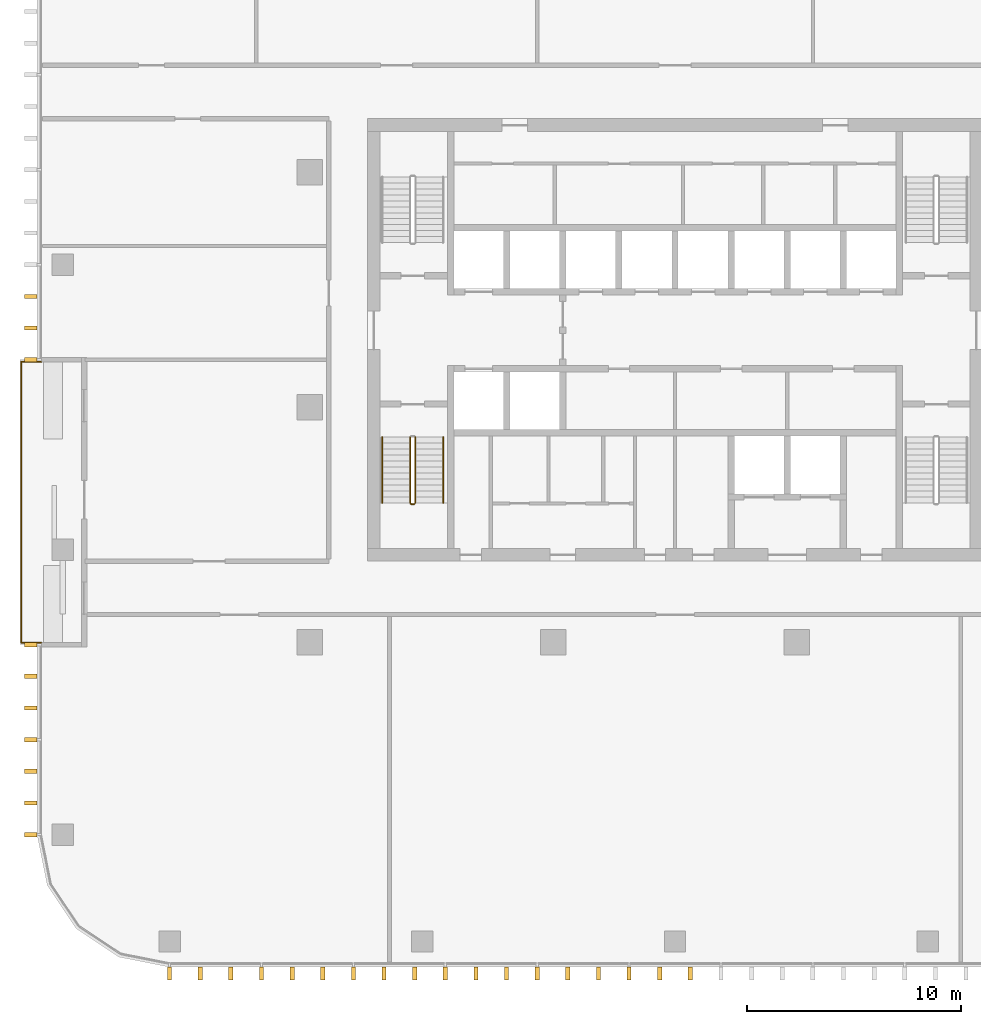
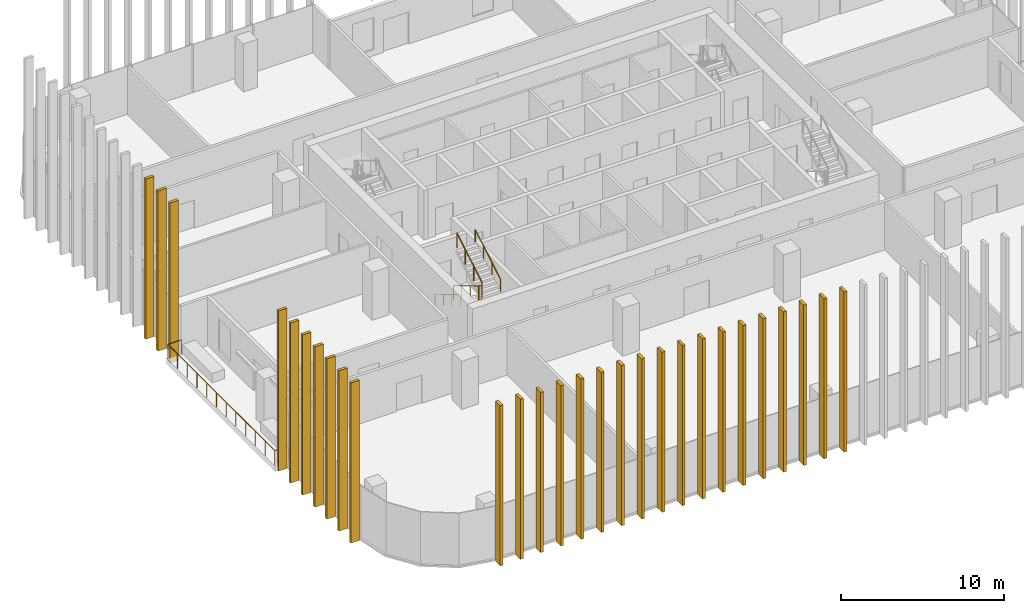
# One storey, part 11 of 16: 28 shading devices, 5 railings.
"""IFC4 building model written with IfcOpenShell, lengths in metres."""

from ifc_helpers import new_model, si_unit, direction, frame, origin, origin_2d, place, context, subcontext, project, spatial, rectangle, circle, extrude, material, type_object, element, save


model = new_model("IFC4")

# Units and contexts
model_context = context("Model", 3, precision=1e-05, world=origin(), true_north=direction((0.0, 1.0)))
body_context = subcontext(model_context, "Body", "Model", "MODEL_VIEW")
ifc_project = project(units=[si_unit("LENGTHUNIT", "METRE"), si_unit("AREAUNIT", "SQUARE_METRE"), si_unit("VOLUMEUNIT", "CUBIC_METRE"), si_unit("PLANEANGLEUNIT", "RADIAN"), si_unit("MASSUNIT", "GRAM", prefix="KILO")], contexts=[model_context])

# Site, building, storey
site_placement = place(None, origin())
site = spatial("IfcSite", under=ifc_project, at=site_placement, CompositionType="ELEMENT")
building_placement = place(site_placement, origin())
building = spatial("IfcBuilding", under=site, at=building_placement, Name="Mopane Tessera Tower", CompositionType="ELEMENT")
storey_placement = place(building_placement, frame((0.0, 0.0, 267.39990234375)))
storey = spatial("IfcBuildingStorey", under=building, at=storey_placement, Name="L57", CompositionType="ELEMENT", Elevation=267.39990234375)

# Shading devices
ifc_material_1 = material(Name="Glazed ceramic tile")
shading_device_type = type_object("IfcShadingDeviceType", Name="Ceramic tile fin 600 x 200 mm", PredefinedType="USERDEFINED", material=ifc_material_1)
for number, where, z_axis, x_axis, name in (
    (1, (-23.64990234375, -26.5, -0.39990234375), (0.0, 0.0, 1.0), (1.0, 0.0, 0.0), "e:fin:L57:S:0:0"),
    (2, (-22.216552734375, -26.5, -0.39990234375), (0.0, 0.0, 1.0), (1.0, 0.0, 0.0), "e:fin:L57:S:0:1"),
    (3, (-20.783447265625, -26.5, -0.39990234375), (0.0, 0.0, 1.0), (1.0, 0.0, 0.0), "e:fin:L57:S:0:2"),
    (4, (-19.35009765625, -26.5, -0.39990234375), (0.0, 0.0, 1.0), (1.0, 0.0, 0.0), "e:fin:L57:S:1:0"),
    (5, (-17.916748046875, -26.5, -0.39990234375), (0.0, 0.0, 1.0), (1.0, 0.0, 0.0), "e:fin:L57:S:1:1"),
    (6, (-16.4833984375, -26.5, -0.39990234375), (0.0, 0.0, 1.0), (1.0, 0.0, 0.0), "e:fin:L57:S:1:2"),
    (7, (-15.050048828125, -26.5, -0.39990234375), (0.0, 0.0, 1.0), (1.0, 0.0, 0.0), "e:fin:L57:S:2:0"),
    (8, (-13.61669921875, -26.5, -0.39990234375), (0.0, 0.0, 1.0), (1.0, 0.0, 0.0), "e:fin:L57:S:2:1"),
    (9, (-12.183349609375, -26.5, -0.39990234375), (0.0, 0.0, 1.0), (1.0, 0.0, 0.0), "e:fin:L57:S:2:2"),
    (10, (-10.75, -26.5, -0.39990234375), (0.0, 0.0, 1.0), (1.0, 0.0, 0.0), "e:fin:L57:S:3:0"),
    (11, (-9.316650390625, -26.5, -0.39990234375), (0.0, 0.0, 1.0), (1.0, 0.0, 0.0), "e:fin:L57:S:3:1"),
    (12, (-7.88330078125, -26.5, -0.39990234375), (0.0, 0.0, 1.0), (1.0, 0.0, 0.0), "e:fin:L57:S:3:2"),
    (13, (-6.449951171875, -26.5, -0.39990234375), (0.0, 0.0, 1.0), (1.0, 0.0, 0.0), "e:fin:L57:S:4:0"),
    (14, (-5.0166015625, -26.5, -0.39990234375), (0.0, 0.0, 1.0), (1.0, 0.0, 0.0), "e:fin:L57:S:4:1"),
    (15, (-3.583251953125, -26.5, -0.39990234375), (0.0, 0.0, 1.0), (1.0, 0.0, 0.0), "e:fin:L57:S:4:2"),
    (16, (-2.14990234375, -26.5, -0.39990234375), (0.0, 0.0, 1.0), (1.0, 0.0, 0.0), "e:fin:L57:S:5:0"),
    (17, (-0.716552734375, -26.5, -0.39990234375), (0.0, 0.0, 1.0), (1.0, 0.0, 0.0), "e:fin:L57:S:5:1"),
    (18, (0.716552734375, -26.5, -0.39990234375), (0.0, 0.0, 1.0), (1.0, 0.0, 0.0), "e:fin:L57:S:5:2"),
    (19, (-30.14990234375, 5.185302734375, -0.39990234375), (0.0, 0.0, 1.0), (0.0, -1.0, 0.0), "e:fin:L57:W:3:1"),
    (20, (-30.14990234375, 3.70361328125, -0.39990234375), (0.0, 0.0, 1.0), (0.0, -1.0, 0.0), "e:fin:L57:W:3:2"),
    (21, (-30.14990234375, 2.22216796875, -0.39990234375), (0.0, 0.0, 1.0), (0.0, -1.0, 0.0), "e:fin:L57:W:3:3"),
    (22, (-30.14990234375, -11.111083984375, -0.39990234375), (0.0, 0.0, 1.0), (0.0, -1.0, 0.0), "e:fin:L57:W:7:0"),
    (23, (-30.14990234375, -12.592529296875, -0.39990234375), (0.0, 0.0, 1.0), (0.0, -1.0, 0.0), "e:fin:L57:W:7:1"),
    (24, (-30.14990234375, -14.073974609375, -0.39990234375), (0.0, 0.0, 1.0), (0.0, -1.0, 0.0), "e:fin:L57:W:7:2"),
    (25, (-30.14990234375, -15.5556640625, -0.39990234375), (0.0, 0.0, 1.0), (0.0, -1.0, 0.0), "e:fin:L57:W:8:0"),
    (26, (-30.14990234375, -17.037109375, -0.39990234375), (0.0, 0.0, 1.0), (0.0, -1.0, 0.0), "e:fin:L57:W:8:1"),
    (27, (-30.14990234375, -18.5185546875, -0.39990234375), (0.0, 0.0, 1.0), (0.0, -1.0, 0.0), "e:fin:L57:W:8:2"),
    (28, (-30.14990234375, -20.0, -0.39990234375), (0.0, 0.0, 1.0), (0.0, -1.0, 0.0), "e:fin:L57:W:8:3"),
):
    element("IfcShadingDevice", number, at=place(storey_placement, frame(where, z_axis=z_axis, x_axis=x_axis)), inside=storey, type_object=shading_device_type, Name=name, ObjectType="FIN", PredefinedType="USERDEFINED", context=body_context, shape_type="SweptSolid", body=[
        extrude(rectangle(XDim=0.199951171875, YDim=0.60009765625, at=origin_2d()), origin(), (0.0, 0.0, 1.0), 12.0),
    ])

# Railings
ifc_material_2 = material(Name="Powder-coated steel balustrade", Category="steel")
railing_type_1 = type_object("IfcRailingType", Name="Escape stair guard 1100 mm", PredefinedType="GUARDRAIL", material=ifc_material_2)
railing_1_placement = place(storey_placement, frame((-12.39990234375, -1.39990234375, 0.166748046875)))
element("IfcRailing", 29, at=railing_1_placement, inside=storey, type_object=railing_type_1, Name="L57 ST1 stair guard 1", PredefinedType="GUARDRAIL", context=body_context, shape_type="SweptSolid", body=[
    extrude(circle(Radius=0.02392578125, at=origin_2d()), frame((0.0, 0.0, 1.076171875), z_axis=(0.0, -0.859308565015, 0.511457515432), x_axis=(1.0, 0.0, 0.0)), (0.0, 0.0, 1.0), 3.58447265625),
    extrude(circle(Radius=0.02392578125, at=origin_2d()), frame((0.0, -3.080078125, 2.9091796875), z_axis=(0.705375805398, -0.708833529934, 0.0), x_axis=(0.708833529934, 0.705375805398, 0.0)), (0.0, 0.0, 1.0), 0.070556640625),
    extrude(circle(Radius=0.02392578125, at=origin_2d()), frame((0.0498046875, -3.130126953125, 2.9091796875), z_axis=(1.0, 0.0, 0.0), x_axis=(0.0, 1.0, 0.0)), (0.0, 0.0, 1.0), 0.150146484375),
    extrude(circle(Radius=0.02099609375, at=origin_2d()), origin(), (0.0, 0.0, 1.0), 1.052001953125),
    extrude(circle(Radius=0.02099609375, at=origin_2d()), frame((0.0, -1.026611328125, 0.611083984375)), (0.0, 0.0, 1.0), 1.052001953125),
    extrude(circle(Radius=0.02099609375, at=origin_2d()), frame((0.0, -2.053466796875, 1.22216796875)), (0.0, 0.0, 1.0), 1.052001953125),
    extrude(circle(Radius=0.02099609375, at=origin_2d()), frame((0.0, -3.080078125, 1.833251953125)), (0.0, 0.0, 1.0), 1.052001953125),
    extrude(circle(Radius=0.02099609375, at=origin_2d()), frame((0.0498046875, -3.130126953125, 1.833251953125)), (0.0, 0.0, 1.0), 1.052001953125),
    extrude(circle(Radius=0.02099609375, at=origin_2d()), frame((0.199951171875, -3.130126953125, 1.833251953125)), (0.0, 0.0, 1.0), 1.052001953125),
])
railing_2_placement = place(storey_placement, frame((-12.14990234375, -4.47998046875, 2.166748046875)))
element("IfcRailing", 30, at=railing_2_placement, inside=storey, type_object=railing_type_1, Name="L57 ST1 stair guard 2", PredefinedType="GUARDRAIL", context=body_context, shape_type="SweptSolid", body=[
    extrude(circle(Radius=0.02392578125, at=origin_2d()), frame((0.0, 0.0, 1.076171875), z_axis=(0.0, 0.859308565015, 0.511457515432), x_axis=(-1.0, 0.0, 0.0)), (0.0, 0.0, 1.0), 3.58447265625),
    extrude(circle(Radius=0.02099609375, at=origin_2d()), origin(), (0.0, 0.0, 1.0), 1.052001953125),
    extrude(circle(Radius=0.02099609375, at=origin_2d()), frame((0.0, 1.026611328125, 0.611083984375)), (0.0, 0.0, 1.0), 1.052001953125),
    extrude(circle(Radius=0.02099609375, at=origin_2d()), frame((0.0, 2.053466796875, 1.22216796875)), (0.0, 0.0, 1.0), 1.052001953125),
    extrude(circle(Radius=0.02099609375, at=origin_2d()), frame((0.0, 3.080078125, 1.833251953125)), (0.0, 0.0, 1.0), 1.052001953125),
])
ifc_material_3 = material(Name="Powder-coated steel balustrade", Category="steel")
railing_type_2 = type_object("IfcRailingType", Name="Escape stair handrail 900 mm", PredefinedType="HANDRAIL", material=ifc_material_3)
railing_3_placement = place(storey_placement, frame((-13.699951171875, -1.39990234375, 0.166748046875)))
element("IfcRailing", 31, at=railing_3_placement, inside=storey, type_object=railing_type_2, Name="L57 ST1 stair handrail 1", PredefinedType="HANDRAIL", context=body_context, shape_type="SweptSolid", body=[
    extrude(circle(Radius=0.02392578125, at=origin_2d()), frame((0.0, 0.0, 0.8759765625), z_axis=(0.0, -0.859308565015, 0.511457515432), x_axis=(1.0, 0.0, 0.0)), (0.0, 0.0, 1.0), 3.58447265625),
    extrude(circle(Radius=0.02099609375, at=origin_2d()), origin(), (0.0, 0.0, 1.0), 0.851806640625),
    extrude(circle(Radius=0.02099609375, at=origin_2d()), frame((0.0, -1.026611328125, 0.611083984375)), (0.0, 0.0, 1.0), 0.851806640625),
    extrude(circle(Radius=0.02099609375, at=origin_2d()), frame((0.0, -2.053466796875, 1.22216796875)), (0.0, 0.0, 1.0), 0.851806640625),
    extrude(circle(Radius=0.02099609375, at=origin_2d()), frame((0.0, -3.080078125, 1.833251953125)), (0.0, 0.0, 1.0), 0.851806640625),
])
railing_4_placement = place(storey_placement, frame((-10.85009765625, -4.47998046875, 2.166748046875)))
element("IfcRailing", 32, at=railing_4_placement, inside=storey, type_object=railing_type_2, Name="L57 ST1 stair handrail 2", PredefinedType="HANDRAIL", context=body_context, shape_type="SweptSolid", body=[
    extrude(circle(Radius=0.02392578125, at=origin_2d()), frame((0.0, 0.0, 0.8759765625), z_axis=(0.0, 0.859308565015, 0.511457515432), x_axis=(-1.0, 0.0, 0.0)), (0.0, 0.0, 1.0), 3.58447265625),
    extrude(circle(Radius=0.02099609375, at=origin_2d()), origin(), (0.0, 0.0, 1.0), 0.851806640625),
    extrude(circle(Radius=0.02099609375, at=origin_2d()), frame((0.0, 1.026611328125, 0.611083984375)), (0.0, 0.0, 1.0), 0.851806640625),
    extrude(circle(Radius=0.02099609375, at=origin_2d()), frame((0.0, 2.053466796875, 1.22216796875)), (0.0, 0.0, 1.0), 0.851806640625),
    extrude(circle(Radius=0.02099609375, at=origin_2d()), frame((0.0, 3.080078125, 1.833251953125)), (0.0, 0.0, 1.0), 0.851806640625),
])
ifc_material_4 = material(Name="Stainless steel S316", Category="steel")
railing_type_3 = type_object("IfcRailingType", Name="Terrace guard 1100", PredefinedType="GUARDRAIL", material=ifc_material_4)
railing_5_placement = place(storey_placement, frame((-29.64990234375, 2.122314453125, 0.0)))
element("IfcRailing", 33, at=railing_5_placement, inside=storey, type_object=railing_type_3, Name="e:nw:L57:N3:guard", PredefinedType="GUARDRAIL", context=body_context, shape_type="SweptSolid", body=[
    extrude(circle(Radius=0.02392578125, at=origin_2d()), frame((0.0, 0.0, 1.076171875), z_axis=(-1.0, 0.0, 0.0), x_axis=(0.0, -1.0, 0.0)), (0.0, 0.0, 1.0), 0.9501953125),
    extrude(circle(Radius=0.02392578125, at=origin_2d()), frame((-0.9501953125, 0.0, 1.076171875), z_axis=(0.0, -1.0, 0.0), x_axis=(1.0, 0.0, 0.0)), (0.0, 0.0, 1.0), 13.133544921875),
    extrude(circle(Radius=0.02392578125, at=origin_2d()), frame((-0.9501953125, -13.133544921875, 1.076171875), z_axis=(1.0, 0.0, 0.0), x_axis=(0.0, 1.0, 0.0)), (0.0, 0.0, 1.0), 0.9501953125),
    extrude(circle(Radius=0.02099609375, at=origin_2d()), origin(), (0.0, 0.0, 1.0), 1.052001953125),
    extrude(circle(Radius=0.02099609375, at=origin_2d()), frame((-0.9501953125, 0.0, 0.0)), (0.0, 0.0, 1.0), 1.052001953125),
    extrude(circle(Radius=0.02099609375, at=origin_2d()), frame((-0.9501953125, -1.19384765625, 0.0)), (0.0, 0.0, 1.0), 1.052001953125),
    extrude(circle(Radius=0.02099609375, at=origin_2d()), frame((-0.9501953125, -2.387939453125, 0.0)), (0.0, 0.0, 1.0), 1.052001953125),
    extrude(circle(Radius=0.02099609375, at=origin_2d()), frame((-0.9501953125, -3.581787109375, 0.0)), (0.0, 0.0, 1.0), 1.052001953125),
    extrude(circle(Radius=0.02099609375, at=origin_2d()), frame((-0.9501953125, -4.77587890625, 0.0)), (0.0, 0.0, 1.0), 1.052001953125),
    extrude(circle(Radius=0.02099609375, at=origin_2d()), frame((-0.9501953125, -5.9697265625, 0.0)), (0.0, 0.0, 1.0), 1.052001953125),
    extrude(circle(Radius=0.02099609375, at=origin_2d()), frame((-0.9501953125, -7.163818359375, 0.0)), (0.0, 0.0, 1.0), 1.052001953125),
    extrude(circle(Radius=0.02099609375, at=origin_2d()), frame((-0.9501953125, -8.357666015625, 0.0)), (0.0, 0.0, 1.0), 1.052001953125),
    extrude(circle(Radius=0.02099609375, at=origin_2d()), frame((-0.9501953125, -9.5517578125, 0.0)), (0.0, 0.0, 1.0), 1.052001953125),
    extrude(circle(Radius=0.02099609375, at=origin_2d()), frame((-0.9501953125, -10.74560546875, 0.0)), (0.0, 0.0, 1.0), 1.052001953125),
    extrude(circle(Radius=0.02099609375, at=origin_2d()), frame((-0.9501953125, -11.939697265625, 0.0)), (0.0, 0.0, 1.0), 1.052001953125),
    extrude(circle(Radius=0.02099609375, at=origin_2d()), frame((-0.9501953125, -13.133544921875, 0.0)), (0.0, 0.0, 1.0), 1.052001953125),
    extrude(circle(Radius=0.02099609375, at=origin_2d()), frame((0.0, -13.133544921875, 0.0)), (0.0, 0.0, 1.0), 1.052001953125),
])

save(model, "model.ifc")
